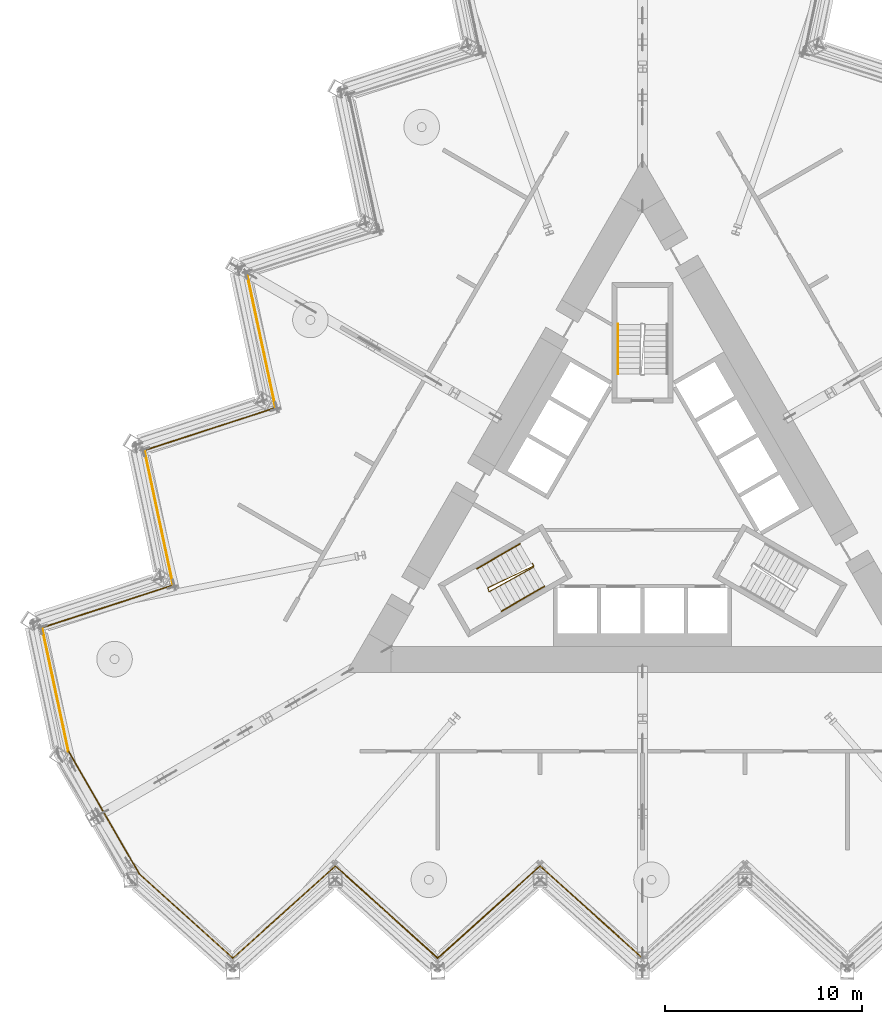
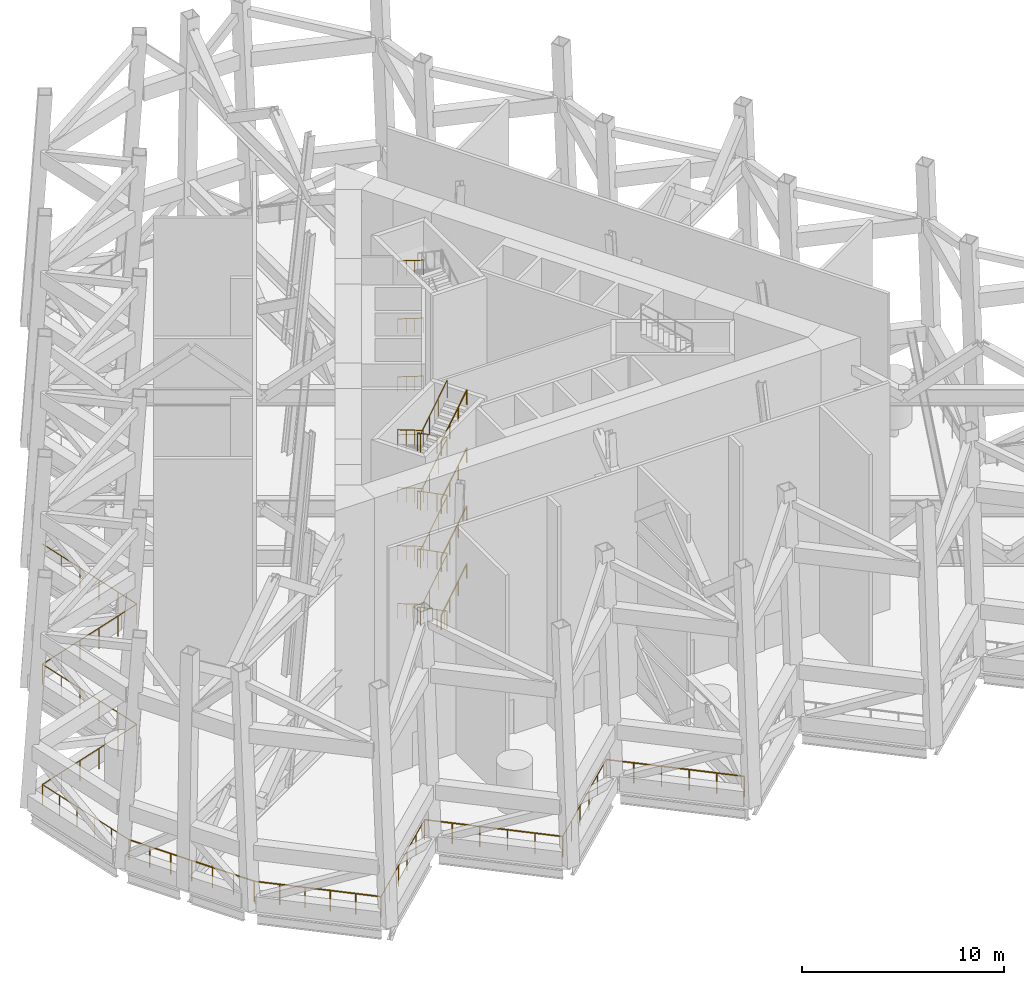
# One storey, part 16 of 19: 25 railings.
"""IFC4 building model written with IfcOpenShell, lengths in metres."""

from ifc_helpers import new_model, si_unit, direction, frame, origin, origin_2d, place, context, subcontext, project, spatial, circle, extrude, material, type_object, element, save


model = new_model("IFC4")

# Units and contexts
model_context = context("Model", 3, precision=1e-05, world=origin(), true_north=direction((0.0, 1.0)))
body_context = subcontext(model_context, "Body", "Model", "MODEL_VIEW")
ifc_project = project(units=[si_unit("LENGTHUNIT", "METRE"), si_unit("AREAUNIT", "SQUARE_METRE"), si_unit("VOLUMEUNIT", "CUBIC_METRE"), si_unit("PLANEANGLEUNIT", "RADIAN"), si_unit("MASSUNIT", "GRAM", prefix="KILO")], contexts=[model_context])

# Site, building, storey
site_placement = place(None, origin())
site = spatial("IfcSite", under=ifc_project, at=site_placement, CompositionType="ELEMENT")
building_placement = place(site_placement, origin())
building = spatial("IfcBuilding", under=site, at=building_placement, Name="Cormorant Prow Tower", CompositionType="ELEMENT")
storey_placement = place(building_placement, frame((0.0, 0.0, 287.800048828125)))
storey = spatial("IfcBuildingStorey", under=building, at=storey_placement, Name="L64", CompositionType="ELEMENT", Elevation=287.800048828125)

# Railings
ifc_material_1 = material(Name="Stainless steel", Category="steel")
railing_type_1 = type_object("IfcRailingType", Name="Stair guard 1100", PredefinedType="GUARDRAIL", material=ifc_material_1)
railing_1_placement = place(storey_placement, frame((-5.585205078125, -3.137939453125, 0.0)))
element("IfcRailing", 1, at=railing_1_placement, inside=storey, type_object=railing_type_1, Name="L64 ST1 stair guard 1", PredefinedType="GUARDRAIL", context=body_context, shape_type="SweptSolid", body=[
    extrude(circle(Radius=0.02392578125, at=origin_2d()), frame((0.0, 0.0, 1.076171875), z_axis=(0.501036270542, -0.865426285481, 0.0), x_axis=(0.865426285481, 0.501036270542, 0.0)), (0.0, 0.0, 1.0), 0.150146484375),
    extrude(circle(Radius=0.02392578125, at=origin_2d()), frame((0.0751953125, -0.1298828125, 1.076171875), z_axis=(-0.746445791822, -0.356845909716, 0.561675775328), x_axis=(0.431308035802, -0.902204731895, 0.0)), (0.0, 0.0, 1.0), 3.11572265625),
    extrude(circle(Radius=0.02392578125, at=origin_2d()), frame((-2.25048828125, -1.24169921875, 2.826171875), z_axis=(0.274721127897, -0.961523947641, 0.0), x_axis=(0.961523947641, 0.274721127897, 0.0)), (0.0, 0.0, 1.0), 0.2060546875),
    extrude(circle(Radius=0.02392578125, at=origin_2d()), frame((-2.19384765625, -1.43994140625, 2.826171875), z_axis=(0.723782509243, 0.399301208592, 0.562758761932), x_axis=(-0.483052234887, 0.87559153626, 0.0)), (0.0, 0.0, 1.0), 3.109619140625),
    extrude(circle(Radius=0.02392578125, at=origin_2d()), frame((0.056884765625, -0.1982421875, 4.576171875), z_axis=(0.258736085224, 0.965948051503, 0.0), x_axis=(-0.965948051503, 0.258736085224, 0.0)), (0.0, 0.0, 1.0), 0.07080078125),
    extrude(circle(Radius=0.02392578125, at=origin_2d()), frame((0.0751953125, -0.1298828125, 4.576171875), z_axis=(-0.746445791822, -0.356845909716, 0.561675775328), x_axis=(0.431308035802, -0.902204731895, 0.0)), (0.0, 0.0, 1.0), 3.11572265625),
    extrude(circle(Radius=0.02392578125, at=origin_2d()), frame((-2.25048828125, -1.24169921875, 6.326171875), z_axis=(0.274721127897, -0.961523947641, 0.0), x_axis=(0.961523947641, 0.274721127897, 0.0)), (0.0, 0.0, 1.0), 0.2060546875),
    extrude(circle(Radius=0.02392578125, at=origin_2d()), frame((-2.19384765625, -1.43994140625, 6.326171875), z_axis=(0.723782509243, 0.399301208592, 0.562758761932), x_axis=(-0.483052234887, 0.87559153626, 0.0)), (0.0, 0.0, 1.0), 3.109619140625),
    extrude(circle(Radius=0.02392578125, at=origin_2d()), frame((0.056884765625, -0.1982421875, 8.076171875), z_axis=(0.258736085224, 0.965948051503, 0.0), x_axis=(-0.965948051503, 0.258736085224, 0.0)), (0.0, 0.0, 1.0), 0.07080078125),
    extrude(circle(Radius=0.02392578125, at=origin_2d()), frame((0.0751953125, -0.1298828125, 8.076171875), z_axis=(-0.746445791822, -0.356845909716, 0.561675775328), x_axis=(0.431308035802, -0.902204731895, 0.0)), (0.0, 0.0, 1.0), 3.11572265625),
    extrude(circle(Radius=0.02392578125, at=origin_2d()), frame((-2.25048828125, -1.24169921875, 9.826171875), z_axis=(0.274721127897, -0.961523947641, 0.0), x_axis=(0.961523947641, 0.274721127897, 0.0)), (0.0, 0.0, 1.0), 0.2060546875),
    extrude(circle(Radius=0.02392578125, at=origin_2d()), frame((-2.19384765625, -1.43994140625, 9.826171875), z_axis=(0.723782509243, 0.399301208592, 0.562758761932), x_axis=(-0.483052234887, 0.87559153626, 0.0)), (0.0, 0.0, 1.0), 3.109619140625),
    extrude(circle(Radius=0.02392578125, at=origin_2d()), frame((0.056884765625, -0.1982421875, 11.576171875), z_axis=(0.258736085224, 0.965948051503, 0.0), x_axis=(-0.965948051503, 0.258736085224, 0.0)), (0.0, 0.0, 1.0), 0.07080078125),
    extrude(circle(Radius=0.02392578125, at=origin_2d()), frame((0.0751953125, -0.1298828125, 11.576171875), z_axis=(-0.746445791822, -0.356845909716, 0.561675775328), x_axis=(0.431308035802, -0.902204731895, 0.0)), (0.0, 0.0, 1.0), 3.11572265625),
    extrude(circle(Radius=0.02392578125, at=origin_2d()), frame((-2.25048828125, -1.24169921875, 13.326171875), z_axis=(0.274721127897, -0.961523947641, 0.0), x_axis=(0.961523947641, 0.274721127897, 0.0)), (0.0, 0.0, 1.0), 0.2060546875),
    extrude(circle(Radius=0.02392578125, at=origin_2d()), frame((-2.19384765625, -1.43994140625, 13.326171875), z_axis=(0.723782509243, 0.399301208592, 0.562758761932), x_axis=(-0.483052234887, 0.87559153626, 0.0)), (0.0, 0.0, 1.0), 3.109619140625),
    extrude(circle(Radius=0.02099609375, at=origin_2d()), origin(), (0.0, 0.0, 1.0), 1.052001953125),
    extrude(circle(Radius=0.02099609375, at=origin_2d()), frame((0.0751953125, -0.1298828125, 0.0)), (0.0, 0.0, 1.0), 1.052001953125),
    extrude(circle(Radius=0.02099609375, at=origin_2d()), frame((-0.699951171875, -0.50048828125, 0.583251953125)), (0.0, 0.0, 1.0), 1.052001953125),
    extrude(circle(Radius=0.02099609375, at=origin_2d()), frame((-1.475341796875, -0.87109375, 1.166748046875)), (0.0, 0.0, 1.0), 1.052001953125),
    extrude(circle(Radius=0.02099609375, at=origin_2d()), frame((-2.25048828125, -1.24169921875, 1.75)), (0.0, 0.0, 1.0), 1.052001953125),
    extrude(circle(Radius=0.02099609375, at=origin_2d()), frame((-2.19384765625, -1.43994140625, 1.75)), (0.0, 0.0, 1.0), 1.052001953125),
    extrude(circle(Radius=0.02099609375, at=origin_2d()), frame((-1.443603515625, -1.026123046875, 2.333251953125)), (0.0, 0.0, 1.0), 1.052001953125),
    extrude(circle(Radius=0.02099609375, at=origin_2d()), frame((-0.693359375, -0.612060546875, 2.916748046875)), (0.0, 0.0, 1.0), 1.052001953125),
    extrude(circle(Radius=0.02099609375, at=origin_2d()), frame((0.056884765625, -0.1982421875, 3.5)), (0.0, 0.0, 1.0), 1.052001953125),
    extrude(circle(Radius=0.02099609375, at=origin_2d()), frame((0.0751953125, -0.1298828125, 3.5)), (0.0, 0.0, 1.0), 1.052001953125),
    extrude(circle(Radius=0.02099609375, at=origin_2d()), frame((-0.699951171875, -0.50048828125, 4.083251953125)), (0.0, 0.0, 1.0), 1.052001953125),
    extrude(circle(Radius=0.02099609375, at=origin_2d()), frame((-1.475341796875, -0.87109375, 4.666748046875)), (0.0, 0.0, 1.0), 1.052001953125),
    extrude(circle(Radius=0.02099609375, at=origin_2d()), frame((-2.25048828125, -1.24169921875, 5.25)), (0.0, 0.0, 1.0), 1.052001953125),
    extrude(circle(Radius=0.02099609375, at=origin_2d()), frame((-2.19384765625, -1.43994140625, 5.25)), (0.0, 0.0, 1.0), 1.052001953125),
    extrude(circle(Radius=0.02099609375, at=origin_2d()), frame((-1.443603515625, -1.026123046875, 5.833251953125)), (0.0, 0.0, 1.0), 1.052001953125),
    extrude(circle(Radius=0.02099609375, at=origin_2d()), frame((-0.693359375, -0.612060546875, 6.416748046875)), (0.0, 0.0, 1.0), 1.052001953125),
    extrude(circle(Radius=0.02099609375, at=origin_2d()), frame((0.056884765625, -0.1982421875, 7.0)), (0.0, 0.0, 1.0), 1.052001953125),
    extrude(circle(Radius=0.02099609375, at=origin_2d()), frame((0.0751953125, -0.1298828125, 7.0)), (0.0, 0.0, 1.0), 1.052001953125),
    extrude(circle(Radius=0.02099609375, at=origin_2d()), frame((-0.699951171875, -0.50048828125, 7.583251953125)), (0.0, 0.0, 1.0), 1.052001953125),
    extrude(circle(Radius=0.02099609375, at=origin_2d()), frame((-1.475341796875, -0.87109375, 8.166748046875)), (0.0, 0.0, 1.0), 1.052001953125),
    extrude(circle(Radius=0.02099609375, at=origin_2d()), frame((-2.25048828125, -1.24169921875, 8.75)), (0.0, 0.0, 1.0), 1.052001953125),
    extrude(circle(Radius=0.02099609375, at=origin_2d()), frame((-2.19384765625, -1.43994140625, 8.75)), (0.0, 0.0, 1.0), 1.052001953125),
    extrude(circle(Radius=0.02099609375, at=origin_2d()), frame((-1.443603515625, -1.026123046875, 9.333251953125)), (0.0, 0.0, 1.0), 1.052001953125),
    extrude(circle(Radius=0.02099609375, at=origin_2d()), frame((-0.693359375, -0.612060546875, 9.916748046875)), (0.0, 0.0, 1.0), 1.052001953125),
    extrude(circle(Radius=0.02099609375, at=origin_2d()), frame((0.056884765625, -0.1982421875, 10.5)), (0.0, 0.0, 1.0), 1.052001953125),
    extrude(circle(Radius=0.02099609375, at=origin_2d()), frame((0.0751953125, -0.1298828125, 10.5)), (0.0, 0.0, 1.0), 1.052001953125),
    extrude(circle(Radius=0.02099609375, at=origin_2d()), frame((-0.699951171875, -0.50048828125, 11.083251953125)), (0.0, 0.0, 1.0), 1.052001953125),
    extrude(circle(Radius=0.02099609375, at=origin_2d()), frame((-1.475341796875, -0.87109375, 11.666748046875)), (0.0, 0.0, 1.0), 1.052001953125),
    extrude(circle(Radius=0.02099609375, at=origin_2d()), frame((-2.25048828125, -1.24169921875, 12.25)), (0.0, 0.0, 1.0), 1.052001953125),
    extrude(circle(Radius=0.02099609375, at=origin_2d()), frame((-2.19384765625, -1.43994140625, 12.25)), (0.0, 0.0, 1.0), 1.052001953125),
    extrude(circle(Radius=0.02099609375, at=origin_2d()), frame((-1.443603515625, -1.026123046875, 12.833251953125)), (0.0, 0.0, 1.0), 1.052001953125),
    extrude(circle(Radius=0.02099609375, at=origin_2d()), frame((-0.693359375, -0.612060546875, 13.416748046875)), (0.0, 0.0, 1.0), 1.052001953125),
    extrude(circle(Radius=0.02099609375, at=origin_2d()), frame((0.056884765625, -0.1982421875, 14.0)), (0.0, 0.0, 1.0), 1.052001953125),
])
ifc_material_2 = material(Name="Stainless steel", Category="steel")
railing_type_2 = type_object("IfcRailingType", Name="Stair handrail 900", PredefinedType="HANDRAIL", material=ifc_material_2)
railing_2_placement = place(storey_placement, frame((-6.212890625, -2.150634765625, 0.175048828125)))
element("IfcRailing", 2, at=railing_2_placement, inside=storey, type_object=railing_type_2, Name="L64 ST1 stair handrail 1", PredefinedType="HANDRAIL", context=body_context, shape_type="SweptSolid", body=[
    extrude(circle(Radius=0.02392578125, at=origin_2d()), frame((0.0, 0.0, 0.8759765625), z_axis=(-0.73439174503, -0.42400668935, 0.529987822708), x_axis=(0.500004791531, -0.866022637375, 0.0)), (0.0, 0.0, 1.0), 2.9716796875),
    extrude(circle(Radius=0.02099609375, at=origin_2d()), origin(), (0.0, 0.0, 1.0), 0.851806640625),
    extrude(circle(Radius=0.02099609375, at=origin_2d()), frame((-0.7275390625, -0.419921875, 0.52490234375)), (0.0, 0.0, 1.0), 0.851806640625),
    extrude(circle(Radius=0.02099609375, at=origin_2d()), frame((-1.454833984375, -0.840087890625, 1.050048828125)), (0.0, 0.0, 1.0), 0.851806640625),
    extrude(circle(Radius=0.02099609375, at=origin_2d()), frame((-2.182373046875, -1.260009765625, 1.574951171875)), (0.0, 0.0, 1.0), 0.851806640625),
])
railing_3_placement = place(storey_placement, frame((-7.1513671875, -5.565185546875, 1.925048828125)))
element("IfcRailing", 3, at=railing_3_placement, inside=storey, type_object=railing_type_2, Name="L64 ST1 stair handrail 2", PredefinedType="HANDRAIL", context=body_context, shape_type="SweptSolid", body=[
    extrude(circle(Radius=0.02392578125, at=origin_2d()), frame((0.0, 0.0, 0.8759765625), z_axis=(0.73439174503, 0.42400668935, 0.529987822708), x_axis=(-0.500004791531, 0.866022637375, 0.0)), (0.0, 0.0, 1.0), 2.9716796875),
    extrude(circle(Radius=0.02099609375, at=origin_2d()), origin(), (0.0, 0.0, 1.0), 0.851806640625),
    extrude(circle(Radius=0.02099609375, at=origin_2d()), frame((0.7275390625, 0.419921875, 0.52490234375)), (0.0, 0.0, 1.0), 0.851806640625),
    extrude(circle(Radius=0.02099609375, at=origin_2d()), frame((1.454833984375, 0.840087890625, 1.050048828125)), (0.0, 0.0, 1.0), 0.851806640625),
    extrude(circle(Radius=0.02099609375, at=origin_2d()), frame((2.182373046875, 1.260009765625, 1.574951171875)), (0.0, 0.0, 1.0), 0.851806640625),
])
railing_4_placement = place(storey_placement, frame((-6.212890625, -2.150634765625, 3.675048828125)))
element("IfcRailing", 4, at=railing_4_placement, inside=storey, type_object=railing_type_2, Name="L64 ST1 stair handrail 3", PredefinedType="HANDRAIL", context=body_context, shape_type="SweptSolid", body=[
    extrude(circle(Radius=0.02392578125, at=origin_2d()), frame((0.0, 0.0, 0.8759765625), z_axis=(-0.73439174503, -0.42400668935, 0.529987822708), x_axis=(0.500004791531, -0.866022637375, 0.0)), (0.0, 0.0, 1.0), 2.9716796875),
    extrude(circle(Radius=0.02099609375, at=origin_2d()), origin(), (0.0, 0.0, 1.0), 0.851806640625),
    extrude(circle(Radius=0.02099609375, at=origin_2d()), frame((-0.7275390625, -0.419921875, 0.52490234375)), (0.0, 0.0, 1.0), 0.851806640625),
    extrude(circle(Radius=0.02099609375, at=origin_2d()), frame((-1.454833984375, -0.840087890625, 1.050048828125)), (0.0, 0.0, 1.0), 0.851806640625),
    extrude(circle(Radius=0.02099609375, at=origin_2d()), frame((-2.182373046875, -1.260009765625, 1.574951171875)), (0.0, 0.0, 1.0), 0.851806640625),
])
railing_5_placement = place(storey_placement, frame((-7.1513671875, -5.565185546875, 5.425048828125)))
element("IfcRailing", 5, at=railing_5_placement, inside=storey, type_object=railing_type_2, Name="L64 ST1 stair handrail 4", PredefinedType="HANDRAIL", context=body_context, shape_type="SweptSolid", body=[
    extrude(circle(Radius=0.02392578125, at=origin_2d()), frame((0.0, 0.0, 0.8759765625), z_axis=(0.73439174503, 0.42400668935, 0.529987822708), x_axis=(-0.500004791531, 0.866022637375, 0.0)), (0.0, 0.0, 1.0), 2.9716796875),
    extrude(circle(Radius=0.02099609375, at=origin_2d()), origin(), (0.0, 0.0, 1.0), 0.851806640625),
    extrude(circle(Radius=0.02099609375, at=origin_2d()), frame((0.7275390625, 0.419921875, 0.52490234375)), (0.0, 0.0, 1.0), 0.851806640625),
    extrude(circle(Radius=0.02099609375, at=origin_2d()), frame((1.454833984375, 0.840087890625, 1.050048828125)), (0.0, 0.0, 1.0), 0.851806640625),
    extrude(circle(Radius=0.02099609375, at=origin_2d()), frame((2.182373046875, 1.260009765625, 1.574951171875)), (0.0, 0.0, 1.0), 0.851806640625),
])
railing_6_placement = place(storey_placement, frame((-6.212890625, -2.150634765625, 7.175048828125)))
element("IfcRailing", 6, at=railing_6_placement, inside=storey, type_object=railing_type_2, Name="L64 ST1 stair handrail 5", PredefinedType="HANDRAIL", context=body_context, shape_type="SweptSolid", body=[
    extrude(circle(Radius=0.02392578125, at=origin_2d()), frame((0.0, 0.0, 0.8759765625), z_axis=(-0.73439174503, -0.42400668935, 0.529987822708), x_axis=(0.500004791531, -0.866022637375, 0.0)), (0.0, 0.0, 1.0), 2.9716796875),
    extrude(circle(Radius=0.02099609375, at=origin_2d()), origin(), (0.0, 0.0, 1.0), 0.851806640625),
    extrude(circle(Radius=0.02099609375, at=origin_2d()), frame((-0.7275390625, -0.419921875, 0.52490234375)), (0.0, 0.0, 1.0), 0.851806640625),
    extrude(circle(Radius=0.02099609375, at=origin_2d()), frame((-1.454833984375, -0.840087890625, 1.050048828125)), (0.0, 0.0, 1.0), 0.851806640625),
    extrude(circle(Radius=0.02099609375, at=origin_2d()), frame((-2.182373046875, -1.260009765625, 1.574951171875)), (0.0, 0.0, 1.0), 0.851806640625),
])
railing_7_placement = place(storey_placement, frame((-7.1513671875, -5.565185546875, 8.925048828125)))
element("IfcRailing", 7, at=railing_7_placement, inside=storey, type_object=railing_type_2, Name="L64 ST1 stair handrail 6", PredefinedType="HANDRAIL", context=body_context, shape_type="SweptSolid", body=[
    extrude(circle(Radius=0.02392578125, at=origin_2d()), frame((0.0, 0.0, 0.8759765625), z_axis=(0.73439174503, 0.42400668935, 0.529987822708), x_axis=(-0.500004791531, 0.866022637375, 0.0)), (0.0, 0.0, 1.0), 2.9716796875),
    extrude(circle(Radius=0.02099609375, at=origin_2d()), origin(), (0.0, 0.0, 1.0), 0.851806640625),
    extrude(circle(Radius=0.02099609375, at=origin_2d()), frame((0.7275390625, 0.419921875, 0.52490234375)), (0.0, 0.0, 1.0), 0.851806640625),
    extrude(circle(Radius=0.02099609375, at=origin_2d()), frame((1.454833984375, 0.840087890625, 1.050048828125)), (0.0, 0.0, 1.0), 0.851806640625),
    extrude(circle(Radius=0.02099609375, at=origin_2d()), frame((2.182373046875, 1.260009765625, 1.574951171875)), (0.0, 0.0, 1.0), 0.851806640625),
])
railing_8_placement = place(storey_placement, frame((-6.212890625, -2.150634765625, 10.675048828125)))
element("IfcRailing", 8, at=railing_8_placement, inside=storey, type_object=railing_type_2, Name="L64 ST1 stair handrail 7", PredefinedType="HANDRAIL", context=body_context, shape_type="SweptSolid", body=[
    extrude(circle(Radius=0.02392578125, at=origin_2d()), frame((0.0, 0.0, 0.8759765625), z_axis=(-0.73439174503, -0.42400668935, 0.529987822708), x_axis=(0.500004791531, -0.866022637375, 0.0)), (0.0, 0.0, 1.0), 2.9716796875),
    extrude(circle(Radius=0.02099609375, at=origin_2d()), origin(), (0.0, 0.0, 1.0), 0.851806640625),
    extrude(circle(Radius=0.02099609375, at=origin_2d()), frame((-0.7275390625, -0.419921875, 0.52490234375)), (0.0, 0.0, 1.0), 0.851806640625),
    extrude(circle(Radius=0.02099609375, at=origin_2d()), frame((-1.454833984375, -0.840087890625, 1.050048828125)), (0.0, 0.0, 1.0), 0.851806640625),
    extrude(circle(Radius=0.02099609375, at=origin_2d()), frame((-2.182373046875, -1.260009765625, 1.574951171875)), (0.0, 0.0, 1.0), 0.851806640625),
])
railing_9_placement = place(storey_placement, frame((-7.1513671875, -5.565185546875, 12.425048828125)))
element("IfcRailing", 9, at=railing_9_placement, inside=storey, type_object=railing_type_2, Name="L64 ST1 stair handrail 8", PredefinedType="HANDRAIL", context=body_context, shape_type="SweptSolid", body=[
    extrude(circle(Radius=0.02392578125, at=origin_2d()), frame((0.0, 0.0, 0.8759765625), z_axis=(0.73439174503, 0.42400668935, 0.529987822708), x_axis=(-0.500004791531, 0.866022637375, 0.0)), (0.0, 0.0, 1.0), 2.9716796875),
    extrude(circle(Radius=0.02099609375, at=origin_2d()), origin(), (0.0, 0.0, 1.0), 0.851806640625),
    extrude(circle(Radius=0.02099609375, at=origin_2d()), frame((0.7275390625, 0.419921875, 0.52490234375)), (0.0, 0.0, 1.0), 0.851806640625),
    extrude(circle(Radius=0.02099609375, at=origin_2d()), frame((1.454833984375, 0.840087890625, 1.050048828125)), (0.0, 0.0, 1.0), 0.851806640625),
    extrude(circle(Radius=0.02099609375, at=origin_2d()), frame((2.182373046875, 1.260009765625, 1.574951171875)), (0.0, 0.0, 1.0), 0.851806640625),
])
for number, where, name in (
    (10, (-1.243896484375, 8.975830078125, 1.925048828125), "L64 ST3 stair handrail 2"),
    (11, (-1.243896484375, 8.975830078125, 5.425048828125), "L64 ST3 stair handrail 4"),
    (12, (-1.243896484375, 8.975830078125, 8.925048828125), "L64 ST3 stair handrail 6"),
    (13, (-1.243896484375, 8.975830078125, 12.425048828125), "L64 ST3 stair handrail 8"),
):
    element("IfcRailing", number, at=place(storey_placement, frame(where)), inside=storey, type_object=railing_type_2, Name=name, PredefinedType="HANDRAIL", context=body_context, shape_type="SweptSolid", body=[
        extrude(circle(Radius=0.02392578125, at=origin_2d()), frame((0.0, 0.0, 0.8759765625), z_axis=(0.0, -0.848007534815, 0.529984170421), x_axis=(1.0, 0.0, 0.0)), (0.0, 0.0, 1.0), 2.9716796875),
        extrude(circle(Radius=0.02099609375, at=origin_2d()), origin(), (0.0, 0.0, 1.0), 0.851806640625),
        extrude(circle(Radius=0.02099609375, at=origin_2d()), frame((0.0, -0.840087890625, 0.52490234375)), (0.0, 0.0, 1.0), 0.851806640625),
        extrude(circle(Radius=0.02099609375, at=origin_2d()), frame((0.0, -1.679931640625, 1.050048828125)), (0.0, 0.0, 1.0), 0.851806640625),
        extrude(circle(Radius=0.02099609375, at=origin_2d()), frame((0.0, -2.52001953125, 1.574951171875)), (0.0, 0.0, 1.0), 0.851806640625),
    ])
ifc_material_3 = material(Name="Aluminium 6063-T6", Category="aluminium")
railing_type_3 = type_object("IfcRailingType", Name="Wind deck guard 1250", PredefinedType="GUARDRAIL", material=ifc_material_3)
for number, where, name in (
    (14, (-25.50830078125, -18.864990234375, 0.0), "Wind deck edge guard 01"),
    (15, (-27.300048828125, -15.76171875, 0.0), "Wind deck edge guard 02"),
):
    element("IfcRailing", number, at=place(storey_placement, frame(where)), inside=storey, type_object=railing_type_3, Name=name, PredefinedType="GUARDRAIL", context=body_context, shape_type="SweptSolid", body=[
        extrude(circle(Radius=0.02392578125, at=origin_2d()), frame((0.0, 0.0, 1.22607421875), z_axis=(-0.500015366673, 0.86601653165, 0.0), x_axis=(-0.86601653165, -0.500015366673, 0.0)), (0.0, 0.0, 1.0), 3.58349609375),
        extrude(circle(Radius=0.02099609375, at=origin_2d()), origin(), (0.0, 0.0, 1.0), 1.201904296875),
        extrude(circle(Radius=0.02099609375, at=origin_2d()), frame((-0.59716796875, 1.034423828125, 0.0)), (0.0, 0.0, 1.0), 1.201904296875),
        extrude(circle(Radius=0.02099609375, at=origin_2d()), frame((-1.194580078125, 2.06884765625, 0.0)), (0.0, 0.0, 1.0), 1.201904296875),
    ])
railing_10_placement = place(storey_placement, frame((-29.091796875, -12.658447265625, 0.0)))
element("IfcRailing", 16, at=railing_10_placement, inside=storey, type_object=railing_type_3, Name="Wind deck edge guard 03", PredefinedType="GUARDRAIL", context=body_context, shape_type="SweptSolid", body=[
    extrude(circle(Radius=0.02392578125, at=origin_2d()), frame((0.0, 0.0, 1.22607421875), z_axis=(-0.207892521926, 0.978151675011, 0.0), x_axis=(-0.978151675011, -0.207892521926, 0.0)), (0.0, 0.0, 1.0), 6.399169921875),
    extrude(circle(Radius=0.02099609375, at=origin_2d()), origin(), (0.0, 0.0, 1.0), 1.201904296875),
    extrude(circle(Radius=0.02099609375, at=origin_2d()), frame((-0.26611328125, 1.251953125, 0.0)), (0.0, 0.0, 1.0), 1.201904296875),
    extrude(circle(Radius=0.02099609375, at=origin_2d()), frame((-0.5322265625, 2.503662109375, 0.0)), (0.0, 0.0, 1.0), 1.201904296875),
    extrude(circle(Radius=0.02099609375, at=origin_2d()), frame((-0.798095703125, 3.755615234375, 0.0)), (0.0, 0.0, 1.0), 1.201904296875),
    extrude(circle(Radius=0.02099609375, at=origin_2d()), frame((-1.064208984375, 5.00732421875, 0.0)), (0.0, 0.0, 1.0), 1.201904296875),
])
railing_11_placement = place(storey_placement, frame((-30.422119140625, -6.399169921875, 0.0)))
element("IfcRailing", 17, at=railing_11_placement, inside=storey, type_object=railing_type_3, Name="Wind deck edge guard 04", PredefinedType="GUARDRAIL", context=body_context, shape_type="SweptSolid", body=[
    extrude(circle(Radius=0.02392578125, at=origin_2d()), frame((0.0, 0.0, 1.22607421875), z_axis=(0.951051542463, 0.309032301837, 0.0), x_axis=(-0.309032301837, 0.951051542463, 0.0)), (0.0, 0.0, 1.0), 6.9814453125),
    extrude(circle(Radius=0.02099609375, at=origin_2d()), origin(), (0.0, 0.0, 1.0), 1.201904296875),
    extrude(circle(Radius=0.02099609375, at=origin_2d()), frame((1.327880859375, 0.431396484375, 0.0)), (0.0, 0.0, 1.0), 1.201904296875),
    extrude(circle(Radius=0.02099609375, at=origin_2d()), frame((2.65576171875, 0.863037109375, 0.0)), (0.0, 0.0, 1.0), 1.201904296875),
    extrude(circle(Radius=0.02099609375, at=origin_2d()), frame((3.98388671875, 1.29443359375, 0.0)), (0.0, 0.0, 1.0), 1.201904296875),
    extrude(circle(Radius=0.02099609375, at=origin_2d()), frame((5.311767578125, 1.72607421875, 0.0)), (0.0, 0.0, 1.0), 1.201904296875),
])
railing_12_placement = place(storey_placement, frame((-23.782470703125, -4.24169921875, 0.0)))
element("IfcRailing", 18, at=railing_12_placement, inside=storey, type_object=railing_type_3, Name="Wind deck edge guard 05", PredefinedType="GUARDRAIL", context=body_context, shape_type="SweptSolid", body=[
    extrude(circle(Radius=0.02392578125, at=origin_2d()), frame((0.0, 0.0, 1.22607421875), z_axis=(-0.207897652061, 0.978150584658, 0.0), x_axis=(-0.978150584658, -0.207897652061, 0.0)), (0.0, 0.0, 1.0), 6.9814453125),
    extrude(circle(Radius=0.02099609375, at=origin_2d()), origin(), (0.0, 0.0, 1.0), 1.201904296875),
    extrude(circle(Radius=0.02099609375, at=origin_2d()), frame((-0.290283203125, 1.36572265625, 0.0)), (0.0, 0.0, 1.0), 1.201904296875),
    extrude(circle(Radius=0.02099609375, at=origin_2d()), frame((-0.58056640625, 2.7314453125, 0.0)), (0.0, 0.0, 1.0), 1.201904296875),
    extrude(circle(Radius=0.02099609375, at=origin_2d()), frame((-0.870849609375, 4.097412109375, 0.0)), (0.0, 0.0, 1.0), 1.201904296875),
    extrude(circle(Radius=0.02099609375, at=origin_2d()), frame((-1.1611328125, 5.463134765625, 0.0)), (0.0, 0.0, 1.0), 1.201904296875),
])
railing_13_placement = place(storey_placement, frame((-25.23388671875, 2.587158203125, 0.0)))
element("IfcRailing", 19, at=railing_13_placement, inside=storey, type_object=railing_type_3, Name="Wind deck edge guard 06", PredefinedType="GUARDRAIL", context=body_context, shape_type="SweptSolid", body=[
    extrude(circle(Radius=0.02392578125, at=origin_2d()), frame((0.0, 0.0, 1.22607421875), z_axis=(0.951061820009, 0.309000670746, 0.0), x_axis=(-0.309000670746, 0.951061820009, 0.0)), (0.0, 0.0, 1.0), 6.981201171875),
    extrude(circle(Radius=0.02099609375, at=origin_2d()), origin(), (0.0, 0.0, 1.0), 1.201904296875),
    extrude(circle(Radius=0.02099609375, at=origin_2d()), frame((1.327880859375, 0.431396484375, 0.0)), (0.0, 0.0, 1.0), 1.201904296875),
    extrude(circle(Radius=0.02099609375, at=origin_2d()), frame((2.65576171875, 0.86279296875, 0.0)), (0.0, 0.0, 1.0), 1.201904296875),
    extrude(circle(Radius=0.02099609375, at=origin_2d()), frame((3.98388671875, 1.29443359375, 0.0)), (0.0, 0.0, 1.0), 1.201904296875),
    extrude(circle(Radius=0.02099609375, at=origin_2d()), frame((5.311767578125, 1.725830078125, 0.0)), (0.0, 0.0, 1.0), 1.201904296875),
])
railing_14_placement = place(storey_placement, frame((-18.59423828125, 4.744384765625, 0.0)))
element("IfcRailing", 20, at=railing_14_placement, inside=storey, type_object=railing_type_3, Name="Wind deck edge guard 07", PredefinedType="GUARDRAIL", context=body_context, shape_type="SweptSolid", body=[
    extrude(circle(Radius=0.02392578125, at=origin_2d()), frame((0.0, 0.0, 1.22607421875), z_axis=(-0.207890540933, 0.978152096042, 0.0), x_axis=(-0.978152096042, -0.207890540933, 0.0)), (0.0, 0.0, 1.0), 6.981689453125),
    extrude(circle(Radius=0.02099609375, at=origin_2d()), origin(), (0.0, 0.0, 1.0), 1.201904296875),
    extrude(circle(Radius=0.02099609375, at=origin_2d()), frame((-0.290283203125, 1.36572265625, 0.0)), (0.0, 0.0, 1.0), 1.201904296875),
    extrude(circle(Radius=0.02099609375, at=origin_2d()), frame((-0.58056640625, 2.731689453125, 0.0)), (0.0, 0.0, 1.0), 1.201904296875),
    extrude(circle(Radius=0.02099609375, at=origin_2d()), frame((-0.870849609375, 4.097412109375, 0.0)), (0.0, 0.0, 1.0), 1.201904296875),
    extrude(circle(Radius=0.02099609375, at=origin_2d()), frame((-1.1611328125, 5.46337890625, 0.0)), (0.0, 0.0, 1.0), 1.201904296875),
])
railing_15_placement = place(storey_placement, frame((0.0, -23.146728515625, 0.0)))
element("IfcRailing", 21, at=railing_15_placement, inside=storey, type_object=railing_type_3, Name="Wind deck edge guard 31", PredefinedType="GUARDRAIL", context=body_context, shape_type="SweptSolid", body=[
    extrude(circle(Radius=0.02392578125, at=origin_2d()), frame((0.0, 0.0, 1.22607421875), z_axis=(-0.743153282649, 0.669121213599, 0.0), x_axis=(-0.669121213599, -0.743153282649, 0.0)), (0.0, 0.0, 1.0), 6.9814453125),
    extrude(circle(Radius=0.02099609375, at=origin_2d()), origin(), (0.0, 0.0, 1.0), 1.201904296875),
    extrude(circle(Radius=0.02099609375, at=origin_2d()), frame((-1.03759765625, 0.934326171875, 0.0)), (0.0, 0.0, 1.0), 1.201904296875),
    extrude(circle(Radius=0.02099609375, at=origin_2d()), frame((-2.0751953125, 1.86865234375, 0.0)), (0.0, 0.0, 1.0), 1.201904296875),
    extrude(circle(Radius=0.02099609375, at=origin_2d()), frame((-3.113037109375, 2.802734375, 0.0)), (0.0, 0.0, 1.0), 1.201904296875),
    extrude(circle(Radius=0.02099609375, at=origin_2d()), frame((-4.150634765625, 3.737060546875, 0.0)), (0.0, 0.0, 1.0), 1.201904296875),
])
railing_16_placement = place(storey_placement, frame((-5.188232421875, -18.475341796875, 0.0)))
element("IfcRailing", 22, at=railing_16_placement, inside=storey, type_object=railing_type_3, Name="Wind deck edge guard 32", PredefinedType="GUARDRAIL", context=body_context, shape_type="SweptSolid", body=[
    extrude(circle(Radius=0.02392578125, at=origin_2d()), frame((0.0, 0.0, 1.22607421875), z_axis=(-0.743153282649, -0.669121213599, 0.0), x_axis=(0.669121213599, -0.743153282649, 0.0)), (0.0, 0.0, 1.0), 6.9814453125),
    extrude(circle(Radius=0.02099609375, at=origin_2d()), origin(), (0.0, 0.0, 1.0), 1.201904296875),
    extrude(circle(Radius=0.02099609375, at=origin_2d()), frame((-1.03759765625, -0.934326171875, 0.0)), (0.0, 0.0, 1.0), 1.201904296875),
    extrude(circle(Radius=0.02099609375, at=origin_2d()), frame((-2.0751953125, -1.86865234375, 0.0)), (0.0, 0.0, 1.0), 1.201904296875),
    extrude(circle(Radius=0.02099609375, at=origin_2d()), frame((-3.113037109375, -2.802734375, 0.0)), (0.0, 0.0, 1.0), 1.201904296875),
    extrude(circle(Radius=0.02099609375, at=origin_2d()), frame((-4.150634765625, -3.737060546875, 0.0)), (0.0, 0.0, 1.0), 1.201904296875),
])
railing_17_placement = place(storey_placement, frame((-10.37646484375, -23.146728515625, 0.0)))
element("IfcRailing", 23, at=railing_17_placement, inside=storey, type_object=railing_type_3, Name="Wind deck edge guard 33", PredefinedType="GUARDRAIL", context=body_context, shape_type="SweptSolid", body=[
    extrude(circle(Radius=0.02392578125, at=origin_2d()), frame((0.0, 0.0, 1.22607421875), z_axis=(-0.743153282649, 0.669121213599, 0.0), x_axis=(-0.669121213599, -0.743153282649, 0.0)), (0.0, 0.0, 1.0), 6.9814453125),
    extrude(circle(Radius=0.02099609375, at=origin_2d()), origin(), (0.0, 0.0, 1.0), 1.201904296875),
    extrude(circle(Radius=0.02099609375, at=origin_2d()), frame((-1.03759765625, 0.934326171875, 0.0)), (0.0, 0.0, 1.0), 1.201904296875),
    extrude(circle(Radius=0.02099609375, at=origin_2d()), frame((-2.0751953125, 1.86865234375, 0.0)), (0.0, 0.0, 1.0), 1.201904296875),
    extrude(circle(Radius=0.02099609375, at=origin_2d()), frame((-3.113037109375, 2.802734375, 0.0)), (0.0, 0.0, 1.0), 1.201904296875),
    extrude(circle(Radius=0.02099609375, at=origin_2d()), frame((-4.150634765625, 3.737060546875, 0.0)), (0.0, 0.0, 1.0), 1.201904296875),
])
railing_18_placement = place(storey_placement, frame((-15.564697265625, -18.475341796875, 0.0)))
element("IfcRailing", 24, at=railing_18_placement, inside=storey, type_object=railing_type_3, Name="Wind deck edge guard 34", PredefinedType="GUARDRAIL", context=body_context, shape_type="SweptSolid", body=[
    extrude(circle(Radius=0.02392578125, at=origin_2d()), frame((0.0, 0.0, 1.22607421875), z_axis=(-0.743153282649, -0.669121213599, 0.0), x_axis=(0.669121213599, -0.743153282649, 0.0)), (0.0, 0.0, 1.0), 6.9814453125),
    extrude(circle(Radius=0.02099609375, at=origin_2d()), origin(), (0.0, 0.0, 1.0), 1.201904296875),
    extrude(circle(Radius=0.02099609375, at=origin_2d()), frame((-1.03759765625, -0.934326171875, 0.0)), (0.0, 0.0, 1.0), 1.201904296875),
    extrude(circle(Radius=0.02099609375, at=origin_2d()), frame((-2.0751953125, -1.86865234375, 0.0)), (0.0, 0.0, 1.0), 1.201904296875),
    extrude(circle(Radius=0.02099609375, at=origin_2d()), frame((-3.113037109375, -2.802734375, 0.0)), (0.0, 0.0, 1.0), 1.201904296875),
    extrude(circle(Radius=0.02099609375, at=origin_2d()), frame((-4.150634765625, -3.737060546875, 0.0)), (0.0, 0.0, 1.0), 1.201904296875),
])
railing_19_placement = place(storey_placement, frame((-20.7529296875, -23.146728515625, 0.0)))
element("IfcRailing", 25, at=railing_19_placement, inside=storey, type_object=railing_type_3, Name="Wind deck edge guard 35", PredefinedType="GUARDRAIL", context=body_context, shape_type="SweptSolid", body=[
    extrude(circle(Radius=0.02392578125, at=origin_2d()), frame((0.0, 0.0, 1.22607421875), z_axis=(-0.743146153042, 0.669129131946, 0.0), x_axis=(-0.669129131946, -0.743146153042, 0.0)), (0.0, 0.0, 1.0), 6.39892578125),
    extrude(circle(Radius=0.02099609375, at=origin_2d()), origin(), (0.0, 0.0, 1.0), 1.201904296875),
    extrude(circle(Radius=0.02099609375, at=origin_2d()), frame((-0.951171875, 0.8564453125, 0.0)), (0.0, 0.0, 1.0), 1.201904296875),
    extrude(circle(Radius=0.02099609375, at=origin_2d()), frame((-1.902099609375, 1.712646484375, 0.0)), (0.0, 0.0, 1.0), 1.201904296875),
    extrude(circle(Radius=0.02099609375, at=origin_2d()), frame((-2.853271484375, 2.569091796875, 0.0)), (0.0, 0.0, 1.0), 1.201904296875),
    extrude(circle(Radius=0.02099609375, at=origin_2d()), frame((-3.80419921875, 3.42529296875, 0.0)), (0.0, 0.0, 1.0), 1.201904296875),
])

save(model, "model.ifc")
